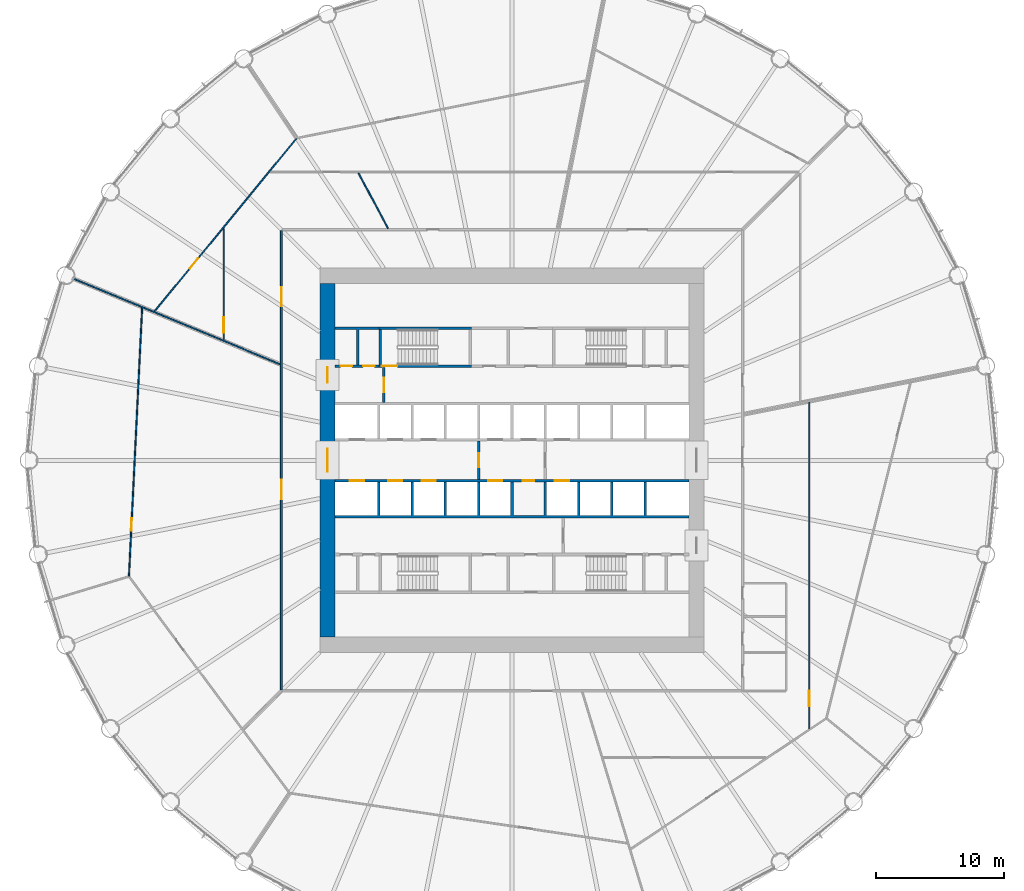
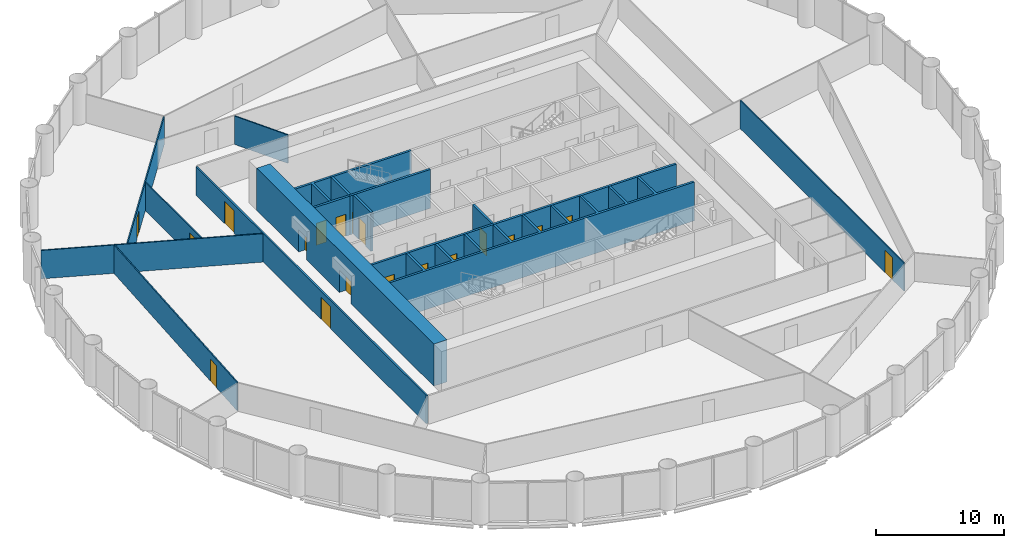
# One storey, part 11 of 15: 19 doors, 17 walls, 19 openings.
"""IFC4 building model written with IfcOpenShell, lengths in metres."""

from ifc_helpers import new_model, si_unit, direction, frame, frame_2d, origin, place, context, subcontext, project, spatial, polyline, rectangle, outline, extrude, material, layer, layer_set, type_object, element, fill, save


model = new_model("IFC4")

# Units and contexts
model_context = context("Model", 3, precision=1e-05, world=origin(), true_north=direction((0.0, 1.0)))
body_context = subcontext(model_context, "Body", "Model", "MODEL_VIEW")
ifc_project = project(units=[si_unit("LENGTHUNIT", "METRE"), si_unit("AREAUNIT", "SQUARE_METRE"), si_unit("VOLUMEUNIT", "CUBIC_METRE"), si_unit("PLANEANGLEUNIT", "RADIAN"), si_unit("MASSUNIT", "GRAM", prefix="KILO")], contexts=[model_context])

# Site, building, storey
site_placement = place(None, origin())
site = spatial("IfcSite", under=ifc_project, at=site_placement, CompositionType="ELEMENT")
building_placement = place(site_placement, origin())
building = spatial("IfcBuilding", under=site, at=building_placement, Name="Corvane Civic Tower", CompositionType="ELEMENT")
storey_placement = place(building_placement, frame((0.0, 0.0, 73.0)))
storey = spatial("IfcBuildingStorey", under=building, at=storey_placement, Name="L16", CompositionType="ELEMENT", Elevation=73.0)

# Wall, openings, doors
ifc_material_1 = material(Name="Concrete C80/95", Category="concrete")
ifc_layer_1 = layer(ifc_material_1, 1.199951171875)
ifc_layer_set_1 = layer_set([ifc_layer_1], Name="Concrete C80/95")
wall_type_1 = type_object("IfcWallType", Name="CORE WALL 1200 C80/95", PredefinedType="SHEAR", material=ifc_layer_set_1)
wall_1_placement = place(storey_placement, frame((-14.39990234375, -13.800048828125, 0.0), z_axis=(0.0, 0.0, 1.0), x_axis=(0.0, 1.0, 0.0)))
wall_1 = element("IfcWall", 1, at=wall_1_placement, inside=storey, type_object=wall_type_1, Name="W-L16-core-W", PredefinedType="SHEAR", context=body_context, shape_type="SweptSolid", body=[
    extrude(rectangle(XDim=27.60009765625, YDim=1.199951171875, at=frame_2d((13.800048828125, 0.0))), origin(), (0.0, 0.0, 1.0), 4.0),
])
opening_1_placement = place(wall_1_placement, frame((12.89990234375, 0.0, 0.0)))
opening_1 = element("IfcOpeningElement", 2, at=opening_1_placement, cuts=wall_1, Name="Opening L16.C24", PredefinedType="OPENING", context=body_context, shape_type="SweptSolid", body=[
    extrude(rectangle(XDim=1.800048828125, YDim=2.10009765625, at=frame_2d((0.89990234375, 1.050048828125))), frame((0.0, 0.60986328125, 0.0), z_axis=(0.0, -1.0, 0.0), x_axis=(1.0, 0.0, 0.0)), (0.0, 0.0, 1.0), 1.219970703125),
])
opening_2_placement = place(wall_1_placement, frame((19.85009765625, 0.0, 0.0)))
opening_2 = element("IfcOpeningElement", 3, at=opening_2_placement, cuts=wall_1, Name="Opening L16.C26", PredefinedType="OPENING", context=body_context, shape_type="SweptSolid", body=[
    extrude(rectangle(XDim=1.199951171875, YDim=2.10009765625, at=frame_2d((0.60009765625, 1.050048828125))), frame((0.0, 0.60986328125, 0.0), z_axis=(0.0, -1.0, 0.0), x_axis=(1.0, 0.0, 0.0)), (0.0, 0.0, 1.0), 1.219970703125),
])
ifc_material_2 = material(Name="Steel fire door leaf", Category="steel")
door_type_1 = type_object("IfcDoorType", Name="CR-DOOR-CORE-1800", OperationType="DOUBLE_DOOR_SINGLE_SWING", PredefinedType="DOOR", material=ifc_material_2)
door_1_placement = place(opening_1_placement, origin())
door_1 = element("IfcDoor", 4, at=door_1_placement, inside=storey, type_object=door_type_1, Name="L16 door", OperationType="DOUBLE_DOOR_SINGLE_SWING", OverallHeight=2.10009765625, OverallWidth=1.800048828125, PredefinedType="DOOR", context=body_context, shape_type="SweptSolid", body=[
    extrude(rectangle(XDim=1.800048828125, YDim=2.10009765625, at=frame_2d((0.89990234375, 1.050048828125))), frame((0.0, 0.02490234375, 0.0), z_axis=(0.0, -1.0, 0.0), x_axis=(1.0, 0.0, 0.0)), (0.0, 0.0, 1.0), 0.050048828125),
])
fill(opening_1, door_1)
door_2_placement = place(opening_2_placement, origin())
door_2 = element("IfcDoor", 5, at=door_2_placement, inside=storey, type_object=door_type_1, Name="L16 door", OperationType="DOUBLE_DOOR_SINGLE_SWING", OverallHeight=2.10009765625, OverallWidth=1.199951171875, PredefinedType="DOOR", context=body_context, shape_type="SweptSolid", body=[
    extrude(rectangle(XDim=1.199951171875, YDim=2.10009765625, at=frame_2d((0.60009765625, 1.050048828125))), frame((0.0, 0.02490234375, 0.0), z_axis=(0.0, -1.0, 0.0), x_axis=(1.0, 0.0, 0.0)), (0.0, 0.0, 1.0), 0.050048828125),
])
fill(opening_2, door_2)

ifc_material_3 = material(Name="Concrete C30/37", Category="concrete")
ifc_layer_2 = layer(ifc_material_3, 0.199951171875)
ifc_layer_set_2 = layer_set([ifc_layer_2], Name="Concrete C30/37")
wall_type_2 = type_object("IfcWallType", Name="CR-WALL-200", PredefinedType="PARTITIONING", material=ifc_layer_set_2)
wall_2_placement = place(storey_placement, frame((-13.800048828125, -1.60009765625, 0.0), z_axis=(0.0, 0.0, 1.0), x_axis=(1.0, 0.0, 0.0)))
wall_2 = element("IfcWall", 6, at=wall_2_placement, inside=storey, type_object=wall_type_2, Name="L16 lift shaft wall", PredefinedType="PARTITIONING", context=body_context, shape_type="SweptSolid", body=[
    extrude(rectangle(XDim=27.60009765625, YDim=0.199951171875, at=frame_2d((13.800048828125, 0.0))), origin(), (0.0, 0.0, 1.0), 3.699951171875),
])
opening_3_placement = place(wall_2_placement, frame((1.14990234375, 0.0, 0.0)))
opening_3 = element("IfcOpeningElement", 7, at=opening_3_placement, cuts=wall_2, Name="Opening LD", PredefinedType="OPENING", context=body_context, shape_type="SweptSolid", body=[
    extrude(rectangle(XDim=1.10009765625, YDim=2.10009765625, at=frame_2d((0.550048828125, 1.050048828125))), frame((0.0, 0.10986328125, 0.0), z_axis=(0.0, -1.0, 0.0), x_axis=(1.0, 0.0, 0.0)), (0.0, 0.0, 1.0), 0.219970703125),
])
opening_4_placement = place(wall_2_placement, frame((4.14990234375, 0.0, 0.0)))
opening_4 = element("IfcOpeningElement", 8, at=opening_4_placement, cuts=wall_2, Name="Opening LD", PredefinedType="OPENING", context=body_context, shape_type="SweptSolid", body=[
    extrude(rectangle(XDim=1.10009765625, YDim=2.10009765625, at=frame_2d((0.550048828125, 1.050048828125))), frame((0.0, 0.10986328125, 0.0), z_axis=(0.0, -1.0, 0.0), x_axis=(1.0, 0.0, 0.0)), (0.0, 0.0, 1.0), 0.219970703125),
])
opening_5_placement = place(wall_2_placement, frame((6.75, 0.0, 0.0)))
opening_5 = element("IfcOpeningElement", 9, at=opening_5_placement, cuts=wall_2, Name="Opening LD", PredefinedType="OPENING", context=body_context, shape_type="SweptSolid", body=[
    extrude(rectangle(XDim=1.10009765625, YDim=2.10009765625, at=frame_2d((0.550048828125, 1.050048828125))), frame((0.0, 0.10986328125, 0.0), z_axis=(0.0, -1.0, 0.0), x_axis=(1.0, 0.0, 0.0)), (0.0, 0.0, 1.0), 0.219970703125),
])
opening_6_placement = place(wall_2_placement, frame((11.949951171875, 0.0, 0.0)))
opening_6 = element("IfcOpeningElement", 10, at=opening_6_placement, cuts=wall_2, Name="Opening LD", PredefinedType="OPENING", context=body_context, shape_type="SweptSolid", body=[
    extrude(rectangle(XDim=1.10009765625, YDim=2.10009765625, at=frame_2d((0.550048828125, 1.050048828125))), frame((0.0, 0.10986328125, 0.0), z_axis=(0.0, -1.0, 0.0), x_axis=(1.0, 0.0, 0.0)), (0.0, 0.0, 1.0), 0.219970703125),
])
opening_7_placement = place(wall_2_placement, frame((14.64990234375, 0.0, 0.0)))
opening_7 = element("IfcOpeningElement", 11, at=opening_7_placement, cuts=wall_2, Name="Opening L16.C01", PredefinedType="OPENING", context=body_context, shape_type="SweptSolid", body=[
    extrude(rectangle(XDim=0.89990234375, YDim=2.10009765625, at=frame_2d((0.449951171875, 1.050048828125))), frame((0.0, 0.10986328125, 0.0), z_axis=(0.0, -1.0, 0.0), x_axis=(1.0, 0.0, 0.0)), (0.0, 0.0, 1.0), 0.219970703125),
])
opening_8_placement = place(wall_2_placement, frame((17.14990234375, 0.0, 0.0)))
opening_8 = element("IfcOpeningElement", 12, at=opening_8_placement, cuts=wall_2, Name="Opening LD", PredefinedType="OPENING", context=body_context, shape_type="SweptSolid", body=[
    extrude(rectangle(XDim=1.10009765625, YDim=2.10009765625, at=frame_2d((0.550048828125, 1.050048828125))), frame((0.0, 0.10986328125, 0.0), z_axis=(0.0, -1.0, 0.0), x_axis=(1.0, 0.0, 0.0)), (0.0, 0.0, 1.0), 0.219970703125),
])
ifc_material_4 = material(Name="Steel fire door leaf", Category="steel")
door_type_2 = type_object("IfcDoorType", Name="CR-DOOR-900", OperationType="SINGLE_SWING_LEFT", PredefinedType="DOOR", material=ifc_material_4)
door_3_placement = place(opening_7_placement, origin())
door_3 = element("IfcDoor", 13, at=door_3_placement, inside=storey, type_object=door_type_2, Name="L16 door", OperationType="SINGLE_SWING_LEFT", OverallHeight=2.10009765625, OverallWidth=0.89990234375, PredefinedType="DOOR", context=body_context, shape_type="SweptSolid", body=[
    extrude(rectangle(XDim=0.89990234375, YDim=2.10009765625, at=frame_2d((0.449951171875, 1.050048828125))), frame((0.0, 0.02490234375, 0.0), z_axis=(0.0, -1.0, 0.0), x_axis=(1.0, 0.0, 0.0)), (0.0, 0.0, 1.0), 0.050048828125),
])
fill(opening_7, door_3)
ifc_material_5 = material(Name="Stainless steel 316 door leaves", Category="steel")
door_type_3 = type_object("IfcDoorType", Name="LD", OperationType="DOUBLE_DOOR_SLIDING", PredefinedType="DOOR", material=ifc_material_5)
door_4_placement = place(opening_3_placement, origin())
door_4 = element("IfcDoor", 14, at=door_4_placement, inside=storey, type_object=door_type_3, Name="L16 landing door", OperationType="DOUBLE_DOOR_SLIDING", OverallHeight=2.10009765625, OverallWidth=1.10009765625, PredefinedType="DOOR", context=body_context, shape_type="SweptSolid", body=[
    extrude(rectangle(XDim=1.10009765625, YDim=2.10009765625, at=frame_2d((0.550048828125, 1.050048828125))), frame((0.0, 0.02490234375, 0.0), z_axis=(0.0, -1.0, 0.0), x_axis=(1.0, 0.0, 0.0)), (0.0, 0.0, 1.0), 0.050048828125),
])
fill(opening_3, door_4)
door_5_placement = place(opening_4_placement, origin())
door_5 = element("IfcDoor", 15, at=door_5_placement, inside=storey, type_object=door_type_3, Name="L16 landing door", OperationType="DOUBLE_DOOR_SLIDING", OverallHeight=2.10009765625, OverallWidth=1.10009765625, PredefinedType="DOOR", context=body_context, shape_type="SweptSolid", body=[
    extrude(rectangle(XDim=1.10009765625, YDim=2.10009765625, at=frame_2d((0.550048828125, 1.050048828125))), frame((0.0, 0.02490234375, 0.0), z_axis=(0.0, -1.0, 0.0), x_axis=(1.0, 0.0, 0.0)), (0.0, 0.0, 1.0), 0.050048828125),
])
fill(opening_4, door_5)
door_6_placement = place(opening_5_placement, origin())
door_6 = element("IfcDoor", 16, at=door_6_placement, inside=storey, type_object=door_type_3, Name="L16 landing door", OperationType="DOUBLE_DOOR_SLIDING", OverallHeight=2.10009765625, OverallWidth=1.10009765625, PredefinedType="DOOR", context=body_context, shape_type="SweptSolid", body=[
    extrude(rectangle(XDim=1.10009765625, YDim=2.10009765625, at=frame_2d((0.550048828125, 1.050048828125))), frame((0.0, 0.02490234375, 0.0), z_axis=(0.0, -1.0, 0.0), x_axis=(1.0, 0.0, 0.0)), (0.0, 0.0, 1.0), 0.050048828125),
])
fill(opening_5, door_6)
door_7_placement = place(opening_6_placement, origin())
door_7 = element("IfcDoor", 17, at=door_7_placement, inside=storey, type_object=door_type_3, Name="L16 landing door", OperationType="DOUBLE_DOOR_SLIDING", OverallHeight=2.10009765625, OverallWidth=1.10009765625, PredefinedType="DOOR", context=body_context, shape_type="SweptSolid", body=[
    extrude(rectangle(XDim=1.10009765625, YDim=2.10009765625, at=frame_2d((0.550048828125, 1.050048828125))), frame((0.0, 0.02490234375, 0.0), z_axis=(0.0, -1.0, 0.0), x_axis=(1.0, 0.0, 0.0)), (0.0, 0.0, 1.0), 0.050048828125),
])
fill(opening_6, door_7)
door_8_placement = place(opening_8_placement, origin())
door_8 = element("IfcDoor", 18, at=door_8_placement, inside=storey, type_object=door_type_3, Name="L16 landing door", OperationType="DOUBLE_DOOR_SLIDING", OverallHeight=2.10009765625, OverallWidth=1.10009765625, PredefinedType="DOOR", context=body_context, shape_type="SweptSolid", body=[
    extrude(rectangle(XDim=1.10009765625, YDim=2.10009765625, at=frame_2d((0.550048828125, 1.050048828125))), frame((0.0, 0.02490234375, 0.0), z_axis=(0.0, -1.0, 0.0), x_axis=(1.0, 0.0, 0.0)), (0.0, 0.0, 1.0), 0.050048828125),
])
fill(opening_8, door_8)

wall_3_placement = place(storey_placement, frame((-13.800048828125, 7.35009765625, 0.0), z_axis=(0.0, 0.0, 1.0), x_axis=(1.0, 0.0, 0.0)))
wall_3 = element("IfcWall", 19, at=wall_3_placement, inside=storey, type_object=wall_type_2, Name="L16 core partition wall", PredefinedType="PARTITIONING", context=body_context, shape_type="SweptSolid", body=[
    extrude(rectangle(XDim=3.400146484375, YDim=0.199951171875, at=frame_2d((1.7001953125, 0.0))), origin(), (0.0, 0.0, 1.0), 3.699951171875),
])
opening_9_placement = place(wall_3_placement, frame((0.425048828125, 0.0, 0.0)))
opening_9 = element("IfcOpeningElement", 20, at=opening_9_placement, cuts=wall_3, Name="Opening L16.C08", PredefinedType="OPENING", context=body_context, shape_type="SweptSolid", body=[
    extrude(rectangle(XDim=0.89990234375, YDim=2.10009765625, at=frame_2d((0.449951171875, 1.050048828125))), frame((0.0, 0.10986328125, 0.0), z_axis=(0.0, -1.0, 0.0), x_axis=(1.0, 0.0, 0.0)), (0.0, 0.0, 1.0), 0.219970703125),
])
opening_10_placement = place(wall_3_placement, frame((2.175048828125, 0.0, 0.0)))
opening_10 = element("IfcOpeningElement", 21, at=opening_10_placement, cuts=wall_3, Name="Opening L16.C09", PredefinedType="OPENING", context=body_context, shape_type="SweptSolid", body=[
    extrude(rectangle(XDim=0.89990234375, YDim=2.10009765625, at=frame_2d((0.449951171875, 1.050048828125))), frame((0.0, 0.10986328125, 0.0), z_axis=(0.0, -1.0, 0.0), x_axis=(1.0, 0.0, 0.0)), (0.0, 0.0, 1.0), 0.219970703125),
])
door_9_placement = place(opening_9_placement, origin())
door_9 = element("IfcDoor", 22, at=door_9_placement, inside=storey, type_object=door_type_2, Name="L16 door", OperationType="SINGLE_SWING_LEFT", OverallHeight=2.10009765625, OverallWidth=0.89990234375, PredefinedType="DOOR", context=body_context, shape_type="SweptSolid", body=[
    extrude(rectangle(XDim=0.89990234375, YDim=2.10009765625, at=frame_2d((0.449951171875, 1.050048828125))), frame((0.0, 0.02490234375, 0.0), z_axis=(0.0, -1.0, 0.0), x_axis=(1.0, 0.0, 0.0)), (0.0, 0.0, 1.0), 0.050048828125),
])
fill(opening_9, door_9)
door_10_placement = place(opening_10_placement, origin())
door_10 = element("IfcDoor", 23, at=door_10_placement, inside=storey, type_object=door_type_2, Name="L16 door", OperationType="SINGLE_SWING_LEFT", OverallHeight=2.10009765625, OverallWidth=0.89990234375, PredefinedType="DOOR", context=body_context, shape_type="SweptSolid", body=[
    extrude(rectangle(XDim=0.89990234375, YDim=2.10009765625, at=frame_2d((0.449951171875, 1.050048828125))), frame((0.0, 0.02490234375, 0.0), z_axis=(0.0, -1.0, 0.0), x_axis=(1.0, 0.0, 0.0)), (0.0, 0.0, 1.0), 0.050048828125),
])
fill(opening_10, door_10)

# Wall, opening, door
wall_4_placement = place(storey_placement, frame((-10.0, 4.5, 0.0), z_axis=(0.0, 0.0, 1.0), x_axis=(0.0, 1.0, 0.0)))
wall_4 = element("IfcWall", 24, at=wall_4_placement, inside=storey, type_object=wall_type_2, Name="L16 core partition wall", PredefinedType="PARTITIONING", context=body_context, shape_type="SweptSolid", body=[
    extrude(rectangle(XDim=2.75, YDim=0.199951171875, at=frame_2d((1.375, 0.0))), origin(), (0.0, 0.0, 1.0), 3.699951171875),
])
opening_11_placement = place(wall_4_placement, frame((0.824951171875, 0.0, 0.0)))
opening_11 = element("IfcOpeningElement", 25, at=opening_11_placement, cuts=wall_4, Name="Opening L16.C22", PredefinedType="OPENING", context=body_context, shape_type="SweptSolid", body=[
    extrude(rectangle(XDim=1.10009765625, YDim=2.10009765625, at=frame_2d((0.550048828125, 1.050048828125))), frame((0.0, 0.10986328125, 0.0), z_axis=(0.0, -1.0, 0.0), x_axis=(1.0, 0.0, 0.0)), (0.0, 0.0, 1.0), 0.219970703125),
])
ifc_material_6 = material(Name="Steel fire door leaf", Category="steel")
door_type_4 = type_object("IfcDoorType", Name="CR-DOOR-FFL-1100", OperationType="SINGLE_SWING_LEFT", PredefinedType="DOOR", material=ifc_material_6)
door_11_placement = place(opening_11_placement, origin())
door_11 = element("IfcDoor", 26, at=door_11_placement, inside=storey, type_object=door_type_4, Name="L16 lobby door", OperationType="SINGLE_SWING_LEFT", OverallHeight=2.10009765625, OverallWidth=1.10009765625, PredefinedType="DOOR", context=body_context, shape_type="SweptSolid", body=[
    extrude(rectangle(XDim=1.10009765625, YDim=2.10009765625, at=frame_2d((0.550048828125, 1.050048828125))), frame((0.0, 0.02490234375, 0.0), z_axis=(0.0, -1.0, 0.0), x_axis=(1.0, 0.0, 0.0)), (0.0, 0.0, 1.0), 0.050048828125),
])
fill(opening_11, door_11)

wall_5_placement = place(storey_placement, frame((-2.60009765625, -1.5, 0.0), z_axis=(0.0, 0.0, 1.0), x_axis=(0.0, 1.0, 0.0)))
wall_5 = element("IfcWall", 27, at=wall_5_placement, inside=storey, type_object=wall_type_2, Name="L16 firefighting lobby wall", PredefinedType="PARTITIONING", context=body_context, shape_type="SweptSolid", body=[
    extrude(rectangle(XDim=3.0, YDim=0.199951171875, at=frame_2d((1.5, 0.0))), origin(), (0.0, 0.0, 1.0), 3.699951171875),
])
opening_12_placement = place(wall_5_placement, frame((0.949951171875, 0.0, 0.0)))
opening_12 = element("IfcOpeningElement", 28, at=opening_12_placement, cuts=wall_5, Name="Opening L16.C20", PredefinedType="OPENING", context=body_context, shape_type="SweptSolid", body=[
    extrude(rectangle(XDim=1.10009765625, YDim=2.10009765625, at=frame_2d((0.550048828125, 1.050048828125))), frame((0.0, 0.10986328125, 0.0), z_axis=(0.0, -1.0, 0.0), x_axis=(1.0, 0.0, 0.0)), (0.0, 0.0, 1.0), 0.219970703125),
])
door_12_placement = place(opening_12_placement, origin())
door_12 = element("IfcDoor", 29, at=door_12_placement, inside=storey, type_object=door_type_4, Name="L16 lobby door", OperationType="SINGLE_SWING_LEFT", OverallHeight=2.10009765625, OverallWidth=1.10009765625, PredefinedType="DOOR", context=body_context, shape_type="SweptSolid", body=[
    extrude(rectangle(XDim=1.10009765625, YDim=2.10009765625, at=frame_2d((0.550048828125, 1.050048828125))), frame((0.0, 0.02490234375, 0.0), z_axis=(0.0, -1.0, 0.0), x_axis=(1.0, 0.0, 0.0)), (0.0, 0.0, 1.0), 0.050048828125),
])
fill(opening_12, door_12)

# Walls
wall_6_placement = place(storey_placement, origin())
element("IfcWall", 30, at=wall_6_placement, inside=storey, type_object=wall_type_2, Name="L16 core partition wall", PredefinedType="PARTITIONING", context=body_context, shape_type="SweptSolid", body=[
    extrude(outline(polyline([(-13.800048828125, 10.39990234375), (-10.39990234375, 10.39990234375), (-10.39990234375, 10.199951171875), (-11.949951171875, 10.199951171875), (-11.949951171875, 7.449951171875), (-12.14990234375, 7.449951171875), (-12.14990234375, 10.199951171875), (-13.800048828125, 10.199951171875), (-13.800048828125, 10.39990234375)])), origin(), (0.0, 0.0, 1.0), 3.699951171875),
])
wall_7_placement = place(storey_placement, origin())
element("IfcWall", 31, at=wall_7_placement, inside=storey, type_object=wall_type_2, Name="L16 core partition wall", PredefinedType="PARTITIONING", context=body_context, shape_type="SweptSolid", body=[
    extrude(outline(polyline([(-10.300048828125, -1.699951171875), (-10.300048828125, -4.300048828125), (-7.89990234375, -4.300048828125), (-7.89990234375, -1.699951171875), (-7.699951171875, -1.699951171875), (-7.699951171875, -4.300048828125), (-5.300048828125, -4.300048828125), (-5.300048828125, -1.699951171875), (-5.10009765625, -1.699951171875), (-5.10009765625, -4.300048828125), (-2.699951171875, -4.300048828125), (-2.699951171875, -1.699951171875), (-2.5, -1.699951171875), (-2.5, -4.300048828125), (-0.10009765625, -4.300048828125), (-0.10009765625, -1.699951171875), (0.10009765625, -1.699951171875), (0.10009765625, -4.300048828125), (2.5, -4.300048828125), (2.5, -1.699951171875), (2.699951171875, -1.699951171875), (2.699951171875, -4.300048828125), (5.10009765625, -4.300048828125), (5.10009765625, -1.699951171875), (5.300048828125, -1.699951171875), (5.300048828125, -4.300048828125), (7.699951171875, -4.300048828125), (7.699951171875, -1.699951171875), (7.89990234375, -1.699951171875), (7.89990234375, -4.300048828125), (10.300048828125, -4.300048828125), (10.300048828125, -1.699951171875), (10.5, -1.699951171875), (10.5, -4.300048828125), (13.800048828125, -4.300048828125), (13.800048828125, -4.5), (-13.800048828125, -4.5), (-13.800048828125, -4.300048828125), (-10.5, -4.300048828125), (-10.5, -1.699951171875), (-10.300048828125, -1.699951171875)])), origin(), (0.0, 0.0, 1.0), 3.699951171875),
])

# Wall, opening, door
ifc_material_7 = material(Name="Plasterboard")
ifc_layer_3 = layer(ifc_material_7, 0.10009765625)
ifc_layer_set_3 = layer_set([ifc_layer_3], Name="Plasterboard")
wall_type_3 = type_object("IfcWallType", Name="Partition 100 plasterboard on studs", PredefinedType="PARTITIONING", material=ifc_layer_set_3)
wall_8_placement = place(storey_placement, frame((23.199951171875, -20.9375, 0.0), z_axis=(0.0, 0.0, 1.0), x_axis=(0.0, 1.0, 0.0)))
wall_8 = element("IfcWall", 32, at=wall_8_placement, inside=storey, type_object=wall_type_3, Name="Partition L16.009", PredefinedType="PARTITIONING", context=body_context, shape_type="SweptSolid", body=[
    extrude(rectangle(XDim=25.4912109375, YDim=0.10009765625, at=frame_2d((12.74560546875, 0.0))), origin(), (0.0, 0.0, 1.0), 2.699951171875),
])
opening_13_placement = place(wall_8_placement, frame((1.756591796875, 0.0, 0.0)))
opening_13 = element("IfcOpeningElement", 33, at=opening_13_placement, cuts=wall_8, Name="Opening L16.014", PredefinedType="OPENING", context=body_context, shape_type="SweptSolid", body=[
    extrude(rectangle(XDim=1.199951171875, YDim=2.10009765625, at=frame_2d((0.60009765625, 1.050048828125))), frame((0.0, 0.06005859375, 0.0), z_axis=(0.0, -1.0, 0.0), x_axis=(1.0, 0.0, 0.0)), (0.0, 0.0, 1.0), 0.1201171875),
])
ifc_material_8 = material(Name="Timber", Category="wood")
door_type_5 = type_object("IfcDoorType", Name="Double door 1200", OperationType="NOTDEFINED", PredefinedType="DOOR", material=ifc_material_8)
door_13_placement = place(opening_13_placement, frame((1.199951171875, 0.0, 0.0), z_axis=(0.0, 0.0, 1.0), x_axis=(-1.0, 0.0, 0.0)))
door_13 = element("IfcDoor", 34, at=door_13_placement, inside=storey, type_object=door_type_5, Name="Door L16.014", OperationType="DOUBLE_DOOR_SINGLE_SWING", OverallHeight=2.10009765625, OverallWidth=1.199951171875, PredefinedType="DOOR", context=body_context, shape_type="SweptSolid", body=[
    extrude(rectangle(XDim=1.199951171875, YDim=2.10009765625, at=frame_2d((0.60009765625, 1.050048828125))), frame((0.0, 0.02490234375, 0.0), z_axis=(0.0, -1.0, 0.0), x_axis=(1.0, 0.0, 0.0)), (0.0, 0.0, 1.0), 0.050048828125),
])
fill(opening_13, door_13)

wall_9_placement = place(storey_placement, frame((-29.895263671875, -9.033935546875, 0.0), z_axis=(0.0, 0.0, 1.0), x_axis=(0.049074826005, 0.99879510484, 0.0)))
wall_9 = element("IfcWall", 35, at=wall_9_placement, inside=storey, type_object=wall_type_3, Name="Partition L16.020", PredefinedType="PARTITIONING", context=body_context, shape_type="SweptSolid", body=[
    extrude(rectangle(XDim=20.944091796875, YDim=0.10009765625, at=frame_2d((10.47216796875, 0.0))), origin(), (0.0, 0.0, 1.0), 2.699951171875),
])
opening_14_placement = place(wall_9_placement, frame((3.532470703125, 0.0, 0.0)))
opening_14 = element("IfcOpeningElement", 36, at=opening_14_placement, cuts=wall_9, Name="Opening L16.021", PredefinedType="OPENING", context=body_context, shape_type="SweptSolid", body=[
    extrude(rectangle(XDim=1.0, YDim=2.10009765625, at=frame_2d((0.5, 1.050048828125))), frame((0.0, 0.06005859375, 0.0), z_axis=(0.0, -1.0, 0.0), x_axis=(1.0, 0.0, 0.0)), (0.0, 0.0, 1.0), 0.1201171875),
])
ifc_material_9 = material(Name="Timber", Category="wood")
door_type_6 = type_object("IfcDoorType", Name="Single door 1000", OperationType="NOTDEFINED", PredefinedType="DOOR", material=ifc_material_9)
door_14_placement = place(opening_14_placement, origin())
door_14 = element("IfcDoor", 37, at=door_14_placement, inside=storey, type_object=door_type_6, Name="Door L16.021", OperationType="SINGLE_SWING_LEFT", OverallHeight=2.10009765625, OverallWidth=1.0, PredefinedType="DOOR", context=body_context, shape_type="SweptSolid", body=[
    extrude(rectangle(XDim=1.0, YDim=2.10009765625, at=frame_2d((0.5, 1.050048828125))), frame((0.0, 0.02490234375, 0.0), z_axis=(0.0, -1.0, 0.0), x_axis=(1.0, 0.0, 0.0)), (0.0, 0.0, 1.0), 0.050048828125),
])
fill(opening_14, door_14)

# Wall
wall_10_placement = place(storey_placement, frame((-34.17431640625, 14.155517578125, 0.0), z_axis=(0.0, 0.0, 1.0), x_axis=(0.923880406754, -0.38268132175, 0.0)))
element("IfcWall", 38, at=wall_10_placement, inside=storey, type_object=wall_type_3, Name="Partition L16.023", PredefinedType="PARTITIONING", context=body_context, shape_type="SweptSolid", body=[
    extrude(rectangle(XDim=17.4052734375, YDim=0.10009765625, at=frame_2d((8.70263671875, 0.0))), origin(), (0.0, 0.0, 1.0), 2.699951171875),
])

# Wall, opening, door
wall_11_placement = place(storey_placement, frame((-22.5, 9.39453125, 0.0), z_axis=(0.0, 0.0, 1.0), x_axis=(0.0, 1.0, 0.0)))
wall_11 = element("IfcWall", 39, at=wall_11_placement, inside=storey, type_object=wall_type_3, Name="Partition L16.024", PredefinedType="PARTITIONING", context=body_context, shape_type="SweptSolid", body=[
    extrude(rectangle(XDim=8.665771484375, YDim=0.10009765625, at=frame_2d((4.3330078125, 0.0))), origin(), (0.0, 0.0, 1.0), 2.699951171875),
])
opening_15_placement = place(wall_11_placement, frame((0.55078125, 0.0, 0.0)))
opening_15 = element("IfcOpeningElement", 40, at=opening_15_placement, cuts=wall_11, Name="Opening L16.003", PredefinedType="OPENING", context=body_context, shape_type="SweptSolid", body=[
    extrude(rectangle(XDim=1.199951171875, YDim=2.10009765625, at=frame_2d((0.60009765625, 1.050048828125))), frame((0.0, 0.06005859375, 0.0), z_axis=(0.0, -1.0, 0.0), x_axis=(1.0, 0.0, 0.0)), (0.0, 0.0, 1.0), 0.1201171875),
])
door_15_placement = place(opening_15_placement, origin())
door_15 = element("IfcDoor", 41, at=door_15_placement, inside=storey, type_object=door_type_5, Name="Door L16.003", OperationType="DOUBLE_DOOR_SINGLE_SWING", OverallHeight=2.10009765625, OverallWidth=1.199951171875, PredefinedType="DOOR", context=body_context, shape_type="SweptSolid", body=[
    extrude(rectangle(XDim=1.199951171875, YDim=2.10009765625, at=frame_2d((0.60009765625, 1.050048828125))), frame((0.0, 0.02490234375, 0.0), z_axis=(0.0, -1.0, 0.0), x_axis=(1.0, 0.0, 0.0)), (0.0, 0.0, 1.0), 0.050048828125),
])
fill(opening_15, door_15)

wall_12_placement = place(storey_placement, frame((-27.896240234375, 11.624755859375, 0.0), z_axis=(0.0, 0.0, 1.0), x_axis=(0.634394209481, 0.773009693974, 0.0)))
wall_12 = element("IfcWall", 42, at=wall_12_placement, inside=storey, type_object=wall_type_3, Name="Partition L16.025", PredefinedType="PARTITIONING", context=body_context, shape_type="SweptSolid", body=[
    extrude(rectangle(XDim=17.45263671875, YDim=0.10009765625, at=frame_2d((8.726318359375, 0.0))), origin(), (0.0, 0.0, 1.0), 2.699951171875),
])
opening_16_placement = place(wall_12_placement, frame((4.3330078125, 0.0, 0.0)))
opening_16 = element("IfcOpeningElement", 43, at=opening_16_placement, cuts=wall_12, Name="Opening L16.001", PredefinedType="OPENING", context=body_context, shape_type="SweptSolid", body=[
    extrude(rectangle(XDim=1.0, YDim=2.10009765625, at=frame_2d((0.5, 1.050048828125))), frame((0.0, 0.06005859375, 0.0), z_axis=(0.0, -1.0, 0.0), x_axis=(1.0, 0.0, 0.0)), (0.0, 0.0, 1.0), 0.1201171875),
])
door_16_placement = place(opening_16_placement, origin())
door_16 = element("IfcDoor", 44, at=door_16_placement, inside=storey, type_object=door_type_6, Name="Door L16.001", OperationType="SINGLE_SWING_RIGHT", OverallHeight=2.10009765625, OverallWidth=1.0, PredefinedType="DOOR", context=body_context, shape_type="SweptSolid", body=[
    extrude(rectangle(XDim=1.0, YDim=2.10009765625, at=frame_2d((0.5, 1.050048828125))), frame((0.0, 0.02490234375, 0.0), z_axis=(0.0, -1.0, 0.0), x_axis=(1.0, 0.0, 0.0)), (0.0, 0.0, 1.0), 0.050048828125),
])
fill(opening_16, door_16)

# Wall
wall_13_placement = place(storey_placement, frame((-11.9873046875, 22.426513671875, 0.0), z_axis=(0.0, 0.0, 1.0), x_axis=(0.47142463877, -0.881906349881, 0.0)))
element("IfcWall", 45, at=wall_13_placement, inside=storey, type_object=wall_type_3, Name="Partition L16.029", PredefinedType="PARTITIONING", context=body_context, shape_type="SweptSolid", body=[
    extrude(rectangle(XDim=4.907470703125, YDim=0.10009765625, at=frame_2d((2.45361328125, 0.0))), origin(), (0.0, 0.0, 1.0), 2.699951171875),
])

# Wall, opening, door
ifc_material_10 = material(Name="Concrete C50/60", Category="concrete")
ifc_layer_4 = layer(ifc_material_10, 0.199951171875)
ifc_layer_set_4 = layer_set([ifc_layer_4], Name="Concrete C50/60")
wall_type_4 = type_object("IfcWallType", Name="ST-WALL-200", PredefinedType="SHEAR", material=ifc_layer_set_4)
wall_14_placement = place(storey_placement, frame((-10.39990234375, 7.35009765625, 0.0), z_axis=(0.0, 0.0, 1.0), x_axis=(1.0, 0.0, 0.0)))
wall_14 = element("IfcWall", 46, at=wall_14_placement, inside=storey, type_object=wall_type_4, Name="L16 stair enclosure wall", PredefinedType="SHEAR", context=body_context, shape_type="SweptSolid", body=[
    extrude(rectangle(XDim=7.25, YDim=0.199951171875, at=frame_2d((3.625, 0.0))), origin(), (0.0, 0.0, 1.0), 3.699951171875),
])
opening_17_placement = place(wall_14_placement, frame((0.25, 0.0, 0.0)))
opening_17 = element("IfcOpeningElement", 47, at=opening_17_placement, cuts=wall_14, Name="Opening L16.C17", PredefinedType="OPENING", context=body_context, shape_type="SweptSolid", body=[
    extrude(rectangle(XDim=1.199951171875, YDim=2.10009765625, at=frame_2d((0.60009765625, 1.050048828125))), frame((0.0, 0.10986328125, 0.0), z_axis=(0.0, -1.0, 0.0), x_axis=(1.0, 0.0, 0.0)), (0.0, 0.0, 1.0), 0.219970703125),
])
ifc_material_11 = material(Name="Steel fire door leaf", Category="steel")
door_type_7 = type_object("IfcDoorType", Name="ST-DOOR-1200", OperationType="SINGLE_SWING_RIGHT", PredefinedType="DOOR", material=ifc_material_11)
door_17_placement = place(opening_17_placement, origin())
door_17 = element("IfcDoor", 48, at=door_17_placement, inside=storey, type_object=door_type_7, Name="L16 stair door", OperationType="SINGLE_SWING_RIGHT", OverallHeight=2.10009765625, OverallWidth=1.199951171875, PredefinedType="DOOR", context=body_context, shape_type="SweptSolid", body=[
    extrude(rectangle(XDim=1.199951171875, YDim=2.10009765625, at=frame_2d((0.60009765625, 1.050048828125))), frame((0.0, 0.02490234375, 0.0), z_axis=(0.0, -1.0, 0.0), x_axis=(1.0, 0.0, 0.0)), (0.0, 0.0, 1.0), 0.050048828125),
])
fill(opening_17, door_17)

# Walls
wall_15_placement = place(storey_placement, origin())
element("IfcWall", 49, at=wall_15_placement, inside=storey, type_object=wall_type_4, Name="L16 stair enclosure wall", PredefinedType="SHEAR", context=body_context, shape_type="SweptSolid", body=[
    extrude(outline(polyline([(-3.14990234375, 10.199951171875), (-10.39990234375, 10.199951171875), (-10.39990234375, 10.39990234375), (-3.14990234375, 10.39990234375), (-3.14990234375, 10.199951171875)])), origin(), (0.0, 0.0, 1.0), 3.699951171875),
])
wall_16_placement = place(storey_placement, origin())
element("IfcWall", 50, at=wall_16_placement, inside=storey, type_object=wall_type_4, Name="L16 stair enclosure wall", PredefinedType="SHEAR", context=body_context, shape_type="SweptSolid", body=[
    extrude(outline(polyline([(-10.199951171875, 7.449951171875), (-10.39990234375, 7.449951171875), (-10.39990234375, 10.199951171875), (-10.199951171875, 10.199951171875), (-10.199951171875, 7.449951171875)])), origin(), (0.0, 0.0, 1.0), 3.699951171875),
])

# Wall, openings, doors
ifc_material_12 = material(Name="Plasterboard")
ifc_layer_5 = layer(ifc_material_12, 0.14990234375)
ifc_layer_set_5 = layer_set([ifc_layer_5], Name="Plasterboard")
wall_type_5 = type_object("IfcWallType", Name="Tenancy wall 150 EI 60", PredefinedType="PARTITIONING", material=ifc_layer_set_5)
wall_17_placement = place(storey_placement, frame((-18.0, -17.925048828125, 0.0), z_axis=(0.0, 0.0, 1.0), x_axis=(0.0, 1.0, 0.0)))
wall_17 = element("IfcWall", 51, at=wall_17_placement, inside=storey, type_object=wall_type_5, Name="Partition L16.014", PredefinedType="PARTITIONING", context=body_context, shape_type="SweptSolid", body=[
    extrude(rectangle(XDim=35.85009765625, YDim=0.14990234375, at=frame_2d((17.925048828125, 0.0))), origin(), (0.0, 0.0, 1.0), 2.699951171875),
])
opening_18_placement = place(wall_17_placement, frame((29.931640625, 0.0, 0.0)))
opening_18 = element("IfcOpeningElement", 52, at=opening_18_placement, cuts=wall_17, Name="Opening L16.005", PredefinedType="OPENING", context=body_context, shape_type="SweptSolid", body=[
    extrude(rectangle(XDim=1.5, YDim=2.10009765625, at=frame_2d((0.75, 1.050048828125))), frame((0.0, 0.0849609375, 0.0), z_axis=(0.0, -1.0, 0.0), x_axis=(1.0, 0.0, 0.0)), (0.0, 0.0, 1.0), 0.169921875),
])
opening_19_placement = place(wall_17_placement, frame((14.890380859375, 0.0, 0.0)))
opening_19 = element("IfcOpeningElement", 53, at=opening_19_placement, cuts=wall_17, Name="Opening L16.023", PredefinedType="OPENING", context=body_context, shape_type="SweptSolid", body=[
    extrude(rectangle(XDim=1.5, YDim=2.10009765625, at=frame_2d((0.75, 1.050048828125))), frame((0.0, 0.0849609375, 0.0), z_axis=(0.0, -1.0, 0.0), x_axis=(1.0, 0.0, 0.0)), (0.0, 0.0, 1.0), 0.169921875),
])
ifc_material_13 = material(Name="Steel and timber", Category="steel")
door_type_8 = type_object("IfcDoorType", Name="Fire door FD60 double 1500", OperationType="NOTDEFINED", PredefinedType="DOOR", material=ifc_material_13)
door_18_placement = place(opening_18_placement, origin())
door_18 = element("IfcDoor", 54, at=door_18_placement, inside=storey, type_object=door_type_8, Name="Door L16.005", OperationType="DOUBLE_DOOR_SINGLE_SWING", OverallHeight=2.10009765625, OverallWidth=1.5, PredefinedType="DOOR", context=body_context, shape_type="SweptSolid", body=[
    extrude(rectangle(XDim=1.5, YDim=2.10009765625, at=frame_2d((0.75, 1.050048828125))), frame((0.0, 0.02490234375, 0.0), z_axis=(0.0, -1.0, 0.0), x_axis=(1.0, 0.0, 0.0)), (0.0, 0.0, 1.0), 0.050048828125),
])
fill(opening_18, door_18)
door_19_placement = place(opening_19_placement, origin())
door_19 = element("IfcDoor", 55, at=door_19_placement, inside=storey, type_object=door_type_8, Name="Door L16.023", OperationType="DOUBLE_DOOR_SINGLE_SWING", OverallHeight=2.10009765625, OverallWidth=1.5, PredefinedType="DOOR", context=body_context, shape_type="SweptSolid", body=[
    extrude(rectangle(XDim=1.5, YDim=2.10009765625, at=frame_2d((0.75, 1.050048828125))), frame((0.0, 0.02490234375, 0.0), z_axis=(0.0, -1.0, 0.0), x_axis=(1.0, 0.0, 0.0)), (0.0, 0.0, 1.0), 0.050048828125),
])
fill(opening_19, door_19)

save(model, "model.ifc")
